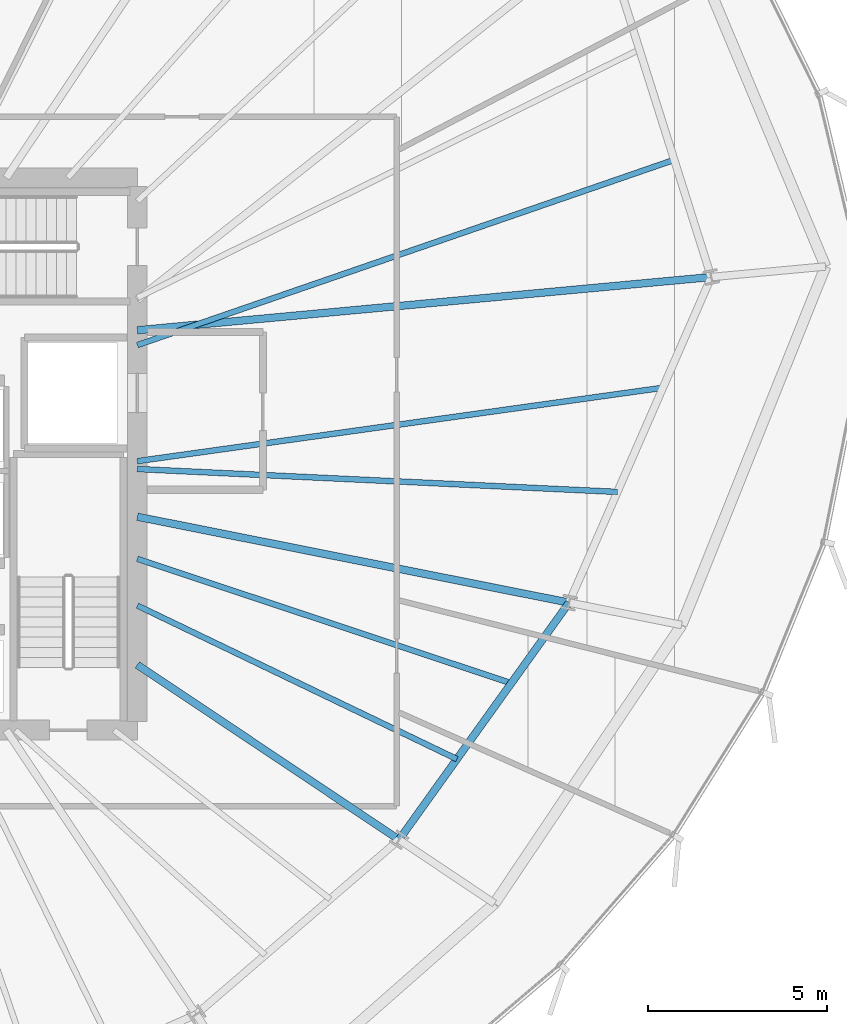
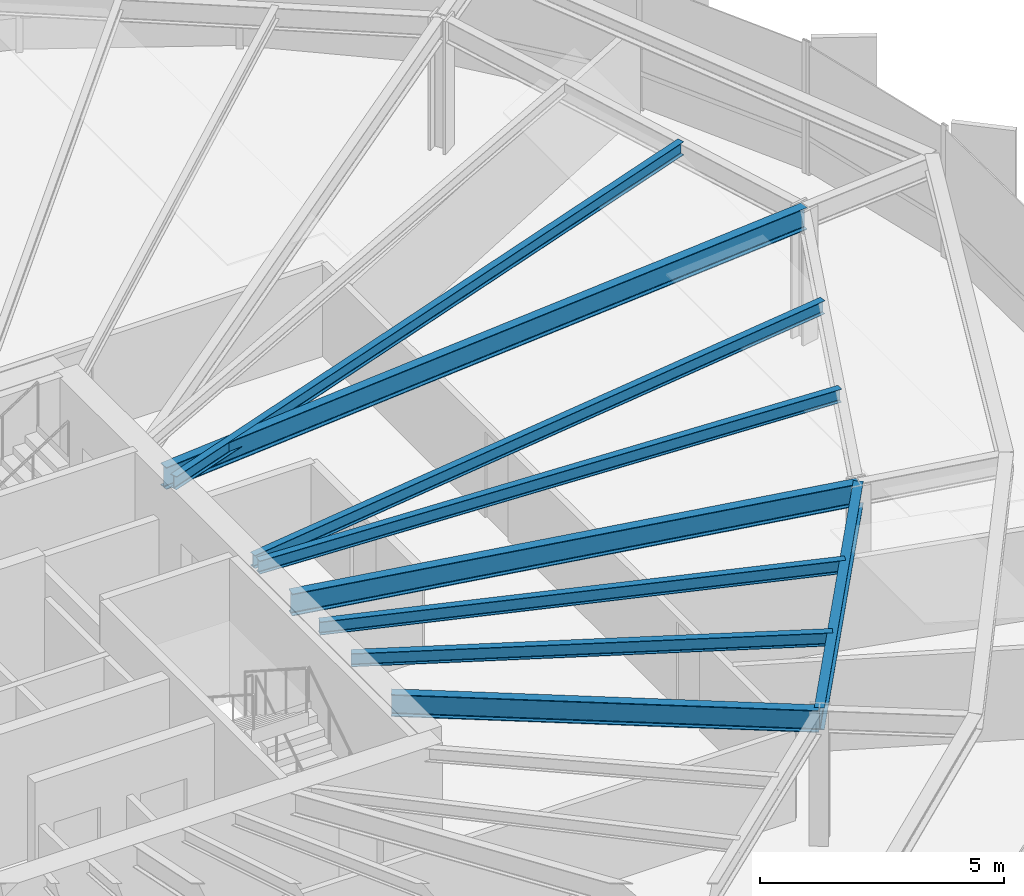
# One storey, part 15 of 33: 9 beams.
"""IFC4 building model written with IfcOpenShell, lengths in metres."""

from ifc_helpers import new_model, si_unit, direction, frame, origin, origin_2d, place, context, subcontext, project, spatial, i_section, extrude, source, transform, mapped, material, material_profile, profile_set, type_object, element, save


model = new_model("IFC4")

# Units and contexts
model_context = context("Model", 3, precision=1e-05, world=origin(), true_north=direction((0.0, 1.0)))
body_context = subcontext(model_context, "Body", "Model", "MODEL_VIEW")
ifc_project = project(units=[si_unit("LENGTHUNIT", "METRE"), si_unit("AREAUNIT", "SQUARE_METRE"), si_unit("VOLUMEUNIT", "CUBIC_METRE"), si_unit("PLANEANGLEUNIT", "RADIAN"), si_unit("MASSUNIT", "GRAM", prefix="KILO"), si_unit("THERMODYNAMICTEMPERATUREUNIT", "KELVIN")], contexts=[model_context])

# Site, building, storey
site_placement = place(None, origin())
site = spatial("IfcSite", under=ifc_project, at=site_placement, CompositionType="ELEMENT")
building_placement = place(site_placement, origin())
building = spatial("IfcBuilding", under=site, at=building_placement, Name="Kethvar Cultural Tower", CompositionType="ELEMENT")
storey_placement = place(building_placement, frame((0.0, 0.0, 114.39990234375)))
storey = spatial("IfcBuildingStorey", under=building, at=storey_placement, Name="L28", CompositionType="ELEMENT", Elevation=114.39990234375)

# Beams
ifc_material = material(Name="Steel S355J2", Category="steel")
ifc_material_profile_1 = material_profile(ifc_material, i_section(OverallWidth=0.2099609375, OverallDepth=0.550048828125, WebThickness=0.010986328125, FlangeThickness=0.01708984375, FilletRadius=0.02392578125, at=origin_2d()), Name="Steel S355J2 — IPE550")
ifc_profile_set_1 = profile_set([ifc_material_profile_1], Name="Steel S355J2 — IPE550")
beam_type_1 = type_object("IfcBeamType", Name="BM-IPE550", PredefinedType="BEAM", material=ifc_profile_set_1)
shared_shape_1 = source(origin(), body_context, "Body", "SweptSolid", [
    extrude(i_section(OverallWidth=0.2099609375, OverallDepth=0.550048828125, WebThickness=0.010986328125, FlangeThickness=0.01708984375, FilletRadius=0.02392578125, at=origin_2d()), origin(), (0.0, 0.0, 1.0), 16.071044921875),
])
beam_1_placement = place(storey_placement, frame((55.60009765625, 31.25, 3.072998046875), z_axis=(0.995731009363, 0.092302529718, 0.0), x_axis=(-0.092302529718, 0.995731009363, 0.0)))
element("IfcBeam", 1, at=beam_1_placement, inside=storey, type_object=beam_type_1, Name="L28 Primary Radial Beam RB-01", PredefinedType="BEAM", context=body_context, shape_type="MappedRepresentation", body=[
    mapped(shared_shape_1, transform((0.0, 0.0, 0.0), scale=1.0)),
])
shared_shape_2 = source(origin(), body_context, "Body", "SweptSolid", [
    extrude(i_section(OverallWidth=0.2099609375, OverallDepth=0.550048828125, WebThickness=0.010986328125, FlangeThickness=0.01708984375, FilletRadius=0.02392578125, at=origin_2d()), origin(), (0.0, 0.0, 1.0), 8.77783203125),
])
beam_2_placement = place(storey_placement, frame((55.60009765625, 21.919921875, 3.072998046875), z_axis=(0.831472186778, -0.555566380026, 0.0), x_axis=(0.555566380026, 0.831472186778, 0.0)))
element("IfcBeam", 2, at=beam_2_placement, inside=storey, type_object=beam_type_1, Name="L28 Primary Radial Beam RB-15", PredefinedType="BEAM", context=body_context, shape_type="MappedRepresentation", body=[
    mapped(shared_shape_2, transform((0.0, 0.0, 0.0), scale=1.0)),
])
shared_shape_3 = source(origin(), body_context, "Body", "SweptSolid", [
    extrude(i_section(OverallWidth=0.2099609375, OverallDepth=0.550048828125, WebThickness=0.010986328125, FlangeThickness=0.01708984375, FilletRadius=0.02392578125, at=origin_2d()), origin(), (0.0, 0.0, 1.0), 12.2744140625),
])
beam_3_placement = place(storey_placement, frame((55.60009765625, 26.049560546875, 3.072998046875), z_axis=(0.980782878234, -0.195102398146, 0.0), x_axis=(0.195102398146, 0.980782878234, 0.0)))
element("IfcBeam", 3, at=beam_3_placement, inside=storey, type_object=beam_type_1, Name="L28 Primary Radial Beam RB-16", PredefinedType="BEAM", context=body_context, shape_type="MappedRepresentation", body=[
    mapped(shared_shape_3, transform((0.0, 0.0, 0.0), scale=1.0)),
])
ifc_material_profile_2 = material_profile(ifc_material, i_section(OverallWidth=0.159912109375, OverallDepth=0.330078125, WebThickness=0.007568359375, FlangeThickness=0.011474609375, FilletRadius=0.01806640625, at=origin_2d()), Name="Steel S355J2 — IPE330")
ifc_profile_set_2 = profile_set([ifc_material_profile_2], Name="Steel S355J2 — IPE330")
beam_type_2 = type_object("IfcBeamType", Name="BM-J330", PredefinedType="JOIST", material=ifc_profile_set_2)
shared_shape_4 = source(origin(), body_context, "Body", "SweptSolid", [
    extrude(i_section(OverallWidth=0.159912109375, OverallDepth=0.330078125, WebThickness=0.007568359375, FlangeThickness=0.011474609375, FilletRadius=0.01806640625, at=origin_2d()), origin(), (0.0, 0.0, 1.0), 15.836669921875),
])
beam_4_placement = place(storey_placement, frame((55.60009765625, 30.836181640625, 3.18310546875), z_axis=(0.945315135904, 0.326158387644, 0.0), x_axis=(-0.326158387644, 0.945315135904, 0.0)))
element("IfcBeam", 4, at=beam_4_placement, inside=storey, type_object=beam_type_2, Name="L28 Composite Floor Joist J-01A", PredefinedType="JOIST", context=body_context, shape_type="MappedRepresentation", body=[
    mapped(shared_shape_4, transform((0.0, 0.0, 0.0), scale=1.0)),
])
shared_shape_5 = source(origin(), body_context, "Body", "SweptSolid", [
    extrude(i_section(OverallWidth=0.2099609375, OverallDepth=0.550048828125, WebThickness=0.010986328125, FlangeThickness=0.01708984375, FilletRadius=0.02392578125, at=origin_2d()), origin(), (0.0, 0.0, 1.0), 8.13525390625),
])
beam_5_placement = place(storey_placement, frame((62.898681640625, 17.043212890625, 3.072998046875), z_axis=(0.582656731995, 0.812718359988, 0.0), x_axis=(-0.812718359988, 0.582656731995, 0.0)))
element("IfcBeam", 5, at=beam_5_placement, inside=storey, type_object=beam_type_1, Name="L28 Column Ring Tie Beam CR-15", PredefinedType="BEAM", context=body_context, shape_type="MappedRepresentation", body=[
    mapped(shared_shape_5, transform((0.0, 0.0, 0.0), scale=1.0)),
])
shared_shape_6 = source(origin(), body_context, "Body", "SweptSolid", [
    extrude(i_section(OverallWidth=0.159912109375, OverallDepth=0.330078125, WebThickness=0.007568359375, FlangeThickness=0.011474609375, FilletRadius=0.01806640625, at=origin_2d()), origin(), (0.0, 0.0, 1.0), 9.885009765625),
])
beam_6_placement = place(storey_placement, frame((55.60009765625, 23.572021484375, 3.18310546875), z_axis=(0.901369611334, -0.43305060185, 0.0), x_axis=(0.43305060185, 0.901369611334, 0.0)))
element("IfcBeam", 6, at=beam_6_placement, inside=storey, type_object=beam_type_2, Name="L28 Composite Floor Joist J-15A", PredefinedType="JOIST", context=body_context, shape_type="MappedRepresentation", body=[
    mapped(shared_shape_6, transform((0.0, 0.0, 0.0), scale=1.0)),
])
shared_shape_7 = source(origin(), body_context, "Body", "SweptSolid", [
    extrude(i_section(OverallWidth=0.159912109375, OverallDepth=0.330078125, WebThickness=0.007568359375, FlangeThickness=0.011474609375, FilletRadius=0.01806640625, at=origin_2d()), origin(), (0.0, 0.0, 1.0), 10.98828125),
])
beam_7_placement = place(storey_placement, frame((55.60009765625, 24.8740234375, 3.18310546875), z_axis=(0.948918548228, -0.315521138481, 0.0), x_axis=(0.315521138481, 0.948918548228, 0.0)))
element("IfcBeam", 7, at=beam_7_placement, inside=storey, type_object=beam_type_2, Name="L28 Composite Floor Joist J-15B", PredefinedType="JOIST", context=body_context, shape_type="MappedRepresentation", body=[
    mapped(shared_shape_7, transform((0.0, 0.0, 0.0), scale=1.0)),
])
shared_shape_8 = source(origin(), body_context, "Body", "SweptSolid", [
    extrude(i_section(OverallWidth=0.159912109375, OverallDepth=0.330078125, WebThickness=0.007568359375, FlangeThickness=0.011474609375, FilletRadius=0.01806640625, at=origin_2d()), origin(), (0.0, 0.0, 1.0), 13.4013671875),
])
beam_8_placement = place(storey_placement, frame((55.60009765625, 27.380126953125, 3.18310546875), z_axis=(0.998864631653, -0.047638719894, 0.0), x_axis=(0.047638719894, 0.998864631653, 0.0)))
element("IfcBeam", 8, at=beam_8_placement, inside=storey, type_object=beam_type_2, Name="L28 Composite Floor Joist J-16A", PredefinedType="JOIST", context=body_context, shape_type="MappedRepresentation", body=[
    mapped(shared_shape_8, transform((0.0, 0.0, 0.0), scale=1.0)),
])
shared_shape_9 = source(origin(), body_context, "Body", "SweptSolid", [
    extrude(i_section(OverallWidth=0.159912109375, OverallDepth=0.330078125, WebThickness=0.007568359375, FlangeThickness=0.011474609375, FilletRadius=0.01806640625, at=origin_2d()), origin(), (0.0, 0.0, 1.0), 14.797119140625),
])
beam_9_placement = place(storey_placement, frame((55.60009765625, 27.60009765625, 3.18310546875), z_axis=(0.990388450305, 0.138313836986, 0.0), x_axis=(-0.138313836986, 0.990388450305, 0.0)))
element("IfcBeam", 9, at=beam_9_placement, inside=storey, type_object=beam_type_2, Name="L28 Composite Floor Joist J-16B", PredefinedType="JOIST", context=body_context, shape_type="MappedRepresentation", body=[
    mapped(shared_shape_9, transform((0.0, 0.0, 0.0), scale=1.0)),
])

save(model, "model.ifc")
